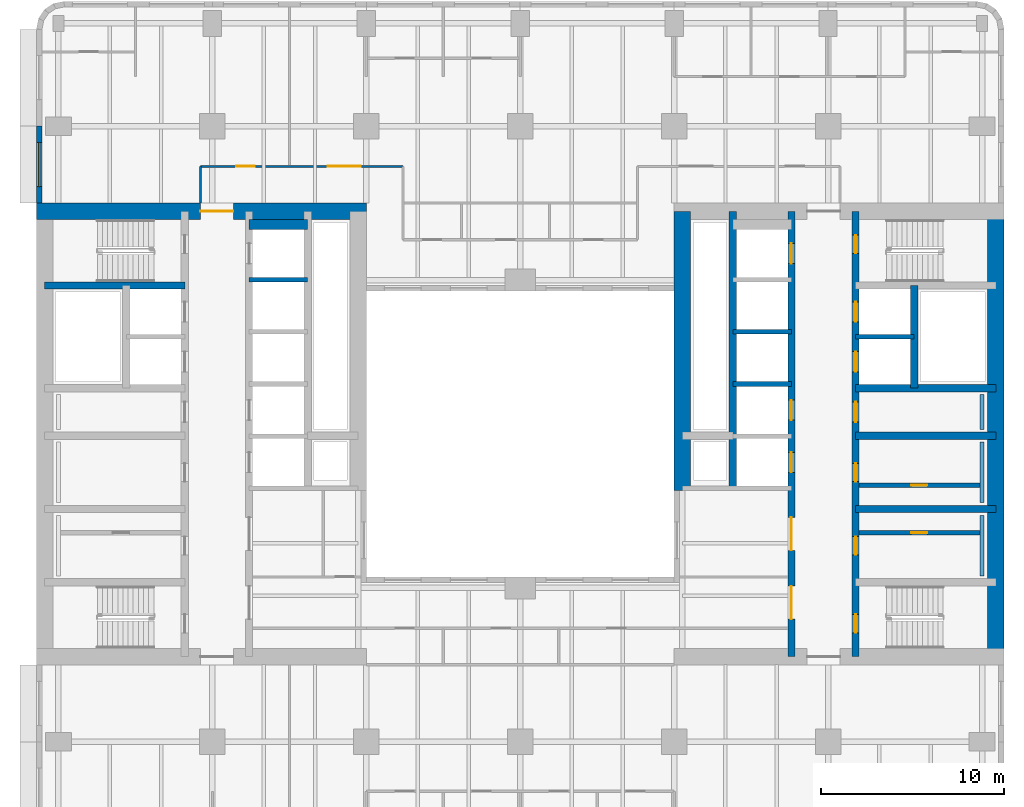
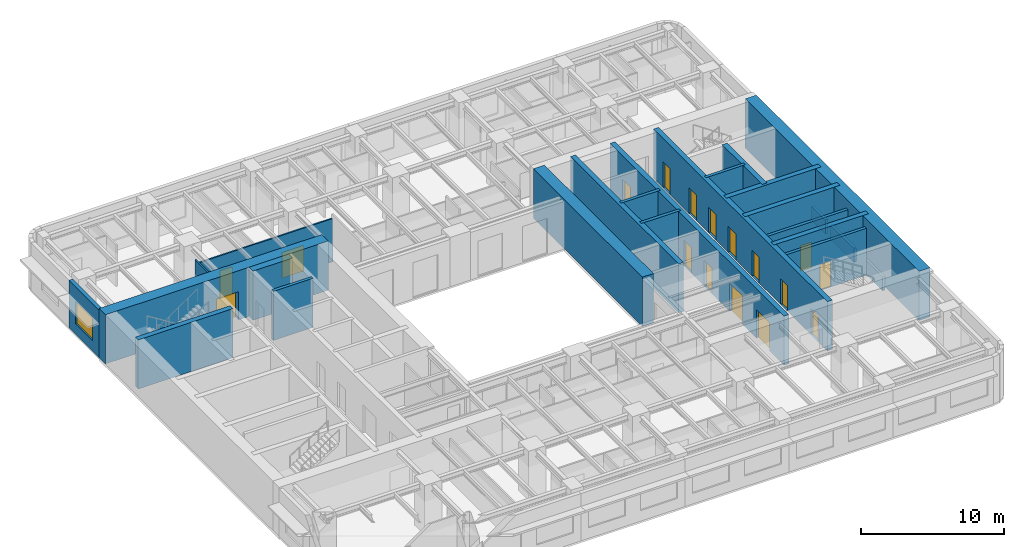
# One storey, part 6 of 11: 24 walls, 17 doors, 1 window, 18 openings.
"""IFC4 building model written with IfcOpenShell, lengths in metres."""

from ifc_helpers import new_model, si_unit, direction, frame, frame_2d, origin, place, context, subcontext, project, spatial, rectangle, extrude, material, layer, layer_set, type_object, element, fill, save


model = new_model("IFC4")

# Units and contexts
model_context = context("Model", 3, precision=1e-05, world=origin(), true_north=direction((0.0, 1.0)))
body_context = subcontext(model_context, "Body", "Model", "MODEL_VIEW")
ifc_project = project(units=[si_unit("LENGTHUNIT", "METRE"), si_unit("AREAUNIT", "SQUARE_METRE"), si_unit("VOLUMEUNIT", "CUBIC_METRE"), si_unit("PLANEANGLEUNIT", "RADIAN"), si_unit("MASSUNIT", "GRAM", prefix="KILO")], contexts=[model_context])

# Site, building, storey
site_placement = place(None, origin())
site = spatial("IfcSite", under=ifc_project, at=site_placement, CompositionType="ELEMENT")
building_placement = place(site_placement, origin())
building = spatial("IfcBuilding", under=site, at=building_placement, Name="Claustro Exchange Tower", CompositionType="ELEMENT")
storey_placement = place(building_placement, frame((0.0, 0.0, 159.60009765625)))
storey = spatial("IfcBuildingStorey", under=building, at=storey_placement, Name="L36", CompositionType="ELEMENT", Elevation=159.60009765625)

# Wall, openings, doors
ifc_material_1 = material(Name="Laminated glass in aluminium frame", Category="aluminium")
ifc_layer_1 = layer(ifc_material_1, 0.1201171875)
ifc_layer_set_1 = layer_set([ifc_layer_1], Name="Laminated glass in aluminium frame")
wall_type_1 = type_object("IfcWallType", Name="P2 120 glazed partition", PredefinedType="PARTITIONING", material=ifc_layer_set_1)
wall_1_placement = place(storey_placement, frame((7.75, 39.800048828125, 0.0), z_axis=(0.0, 0.0, 1.0), x_axis=(1.0, 0.0, 0.0)))
wall_1 = element("IfcWall", 1, at=wall_1_placement, inside=storey, type_object=wall_type_1, Name="Partition P2 L36", PredefinedType="PARTITIONING", context=body_context, shape_type="SweptSolid", body=[
    extrude(rectangle(XDim=11.050048828125, YDim=0.1201171875, at=frame_2d((5.52490234375, 0.0))), origin(), (0.0, 0.0, 1.0), 3.68994140625),
])
opening_1_placement = place(wall_1_placement, frame((1.949951171875, 0.0, 0.0)))
opening_1 = element("IfcOpeningElement", 2, at=opening_1_placement, cuts=wall_1, Name="Opening D7", PredefinedType="OPENING", context=body_context, shape_type="SweptSolid", body=[
    extrude(rectangle(XDim=1.0, YDim=2.39990234375, at=frame_2d((0.5, 1.199951171875))), frame((0.0, 0.070068359375, 0.0), z_axis=(0.0, -1.0, 0.0), x_axis=(1.0, 0.0, 0.0)), (0.0, 0.0, 1.0), 0.14013671875),
])
opening_2_placement = place(wall_1_placement, frame((6.949951171875, 0.0, 0.0)))
opening_2 = element("IfcOpeningElement", 3, at=opening_2_placement, cuts=wall_1, Name="Opening D2", PredefinedType="OPENING", context=body_context, shape_type="SweptSolid", body=[
    extrude(rectangle(XDim=1.800048828125, YDim=2.199951171875, at=frame_2d((0.89990234375, 1.10009765625))), frame((0.0, 0.070068359375, 0.0), z_axis=(0.0, -1.0, 0.0), x_axis=(1.0, 0.0, 0.0)), (0.0, 0.0, 1.0), 0.14013671875),
])
ifc_material_2 = material(Name="Timber door, oak veneer", Category="wood")
door_type_1 = type_object("IfcDoorType", Name="D2 1800 x 2200 double door", OperationType="DOUBLE_DOOR_SINGLE_SWING", PredefinedType="DOOR", material=ifc_material_2)
door_1_placement = place(opening_2_placement, origin())
door_1 = element("IfcDoor", 4, at=door_1_placement, inside=storey, type_object=door_type_1, Name="Double door D2 L36", OperationType="DOUBLE_DOOR_SINGLE_SWING", OverallHeight=2.199951171875, OverallWidth=1.800048828125, PredefinedType="DOOR", context=body_context, shape_type="SweptSolid", body=[
    extrude(rectangle(XDim=1.800048828125, YDim=2.199951171875, at=frame_2d((0.89990234375, 1.10009765625))), frame((0.0, 0.02490234375, 0.0), z_axis=(0.0, -1.0, 0.0), x_axis=(1.0, 0.0, 0.0)), (0.0, 0.0, 1.0), 0.050048828125),
])
fill(opening_2, door_1)
ifc_material_3 = material(Name="Glass door in aluminium frame", Category="aluminium")
door_type_2 = type_object("IfcDoorType", Name="D7 1000 x 2400 glazed door", OperationType="SINGLE_SWING_LEFT", PredefinedType="DOOR", material=ifc_material_3)
door_2_placement = place(opening_1_placement, origin())
door_2 = element("IfcDoor", 5, at=door_2_placement, inside=storey, type_object=door_type_2, Name="Door D7 L36", OperationType="SINGLE_SWING_RIGHT", OverallHeight=2.39990234375, OverallWidth=1.0, PredefinedType="DOOR", context=body_context, shape_type="SweptSolid", body=[
    extrude(rectangle(XDim=1.0, YDim=2.39990234375, at=frame_2d((0.5, 1.199951171875))), frame((0.0, 0.02490234375, 0.0), z_axis=(0.0, -1.0, 0.0), x_axis=(1.0, 0.0, 0.0)), (0.0, 0.0, 1.0), 0.050048828125),
])
fill(opening_1, door_2)

# Wall
wall_2_placement = place(storey_placement, frame((7.75, 37.800048828125, 0.0), z_axis=(0.0, 0.0, 1.0), x_axis=(0.0, 1.0, 0.0)))
element("IfcWall", 6, at=wall_2_placement, inside=storey, type_object=wall_type_1, Name="Partition P2 L36", PredefinedType="PARTITIONING", context=body_context, shape_type="SweptSolid", body=[
    extrude(rectangle(XDim=2.0, YDim=0.1201171875, at=frame_2d((1.0, 0.0))), origin(), (0.0, 0.0, 1.0), 4.0498046875),
])

# Wall, opening, door
ifc_material_4 = material(Name="Concrete blockwork, rendered", Category="masonry")
ifc_layer_2 = layer(ifc_material_4, 0.25)
ifc_layer_set_2 = layer_set([ifc_layer_2], Name="Concrete blockwork, rendered")
wall_type_2 = type_object("IfcWallType", Name="P4 250 blockwork wall", PredefinedType="PARTITIONING", material=ifc_layer_set_2)
wall_3_placement = place(storey_placement, frame((43.699951171875, 22.39990234375, 0.0), z_axis=(0.0, 0.0, 1.0), x_axis=(1.0, 0.0, 0.0)))
wall_3 = element("IfcWall", 7, at=wall_3_placement, inside=storey, type_object=wall_type_2, Name="Partition P4 L36", PredefinedType="PARTITIONING", context=body_context, shape_type="SweptSolid", body=[
    extrude(rectangle(XDim=6.60009765625, YDim=0.25, at=frame_2d((3.300048828125, 0.0))), origin(), (0.0, 0.0, 1.0), 4.0),
])
opening_3_placement = place(wall_3_placement, frame((2.824951171875, 0.0, 0.0)))
opening_3 = element("IfcOpeningElement", 8, at=opening_3_placement, cuts=wall_3, Name="Opening D5", PredefinedType="OPENING", context=body_context, shape_type="SweptSolid", body=[
    extrude(rectangle(XDim=0.89990234375, YDim=2.199951171875, at=frame_2d((0.449951171875, 1.10009765625))), frame((0.0, 0.135009765625, 0.0), z_axis=(0.0, -1.0, 0.0), x_axis=(1.0, 0.0, 0.0)), (0.0, 0.0, 1.0), 0.27001953125),
])
ifc_material_5 = material(Name="Steel door, painted", Category="steel")
door_type_3 = type_object("IfcDoorType", Name="D5 900 x 2200 store door", OperationType="SINGLE_SWING_LEFT", PredefinedType="DOOR", material=ifc_material_5)
door_3_placement = place(opening_3_placement, frame((0.89990234375, 0.0, 0.0), z_axis=(0.0, 0.0, 1.0), x_axis=(-1.0, 0.0, 0.0)))
door_3 = element("IfcDoor", 9, at=door_3_placement, inside=storey, type_object=door_type_3, Name="Store door D5 L36", OperationType="SINGLE_SWING_LEFT", OverallHeight=2.199951171875, OverallWidth=0.89990234375, PredefinedType="DOOR", context=body_context, shape_type="SweptSolid", body=[
    extrude(rectangle(XDim=0.89990234375, YDim=2.199951171875, at=frame_2d((0.449951171875, 1.10009765625))), frame((0.0, 0.02490234375, 0.0), z_axis=(0.0, -1.0, 0.0), x_axis=(1.0, 0.0, 0.0)), (0.0, 0.0, 1.0), 0.050048828125),
])
fill(opening_3, door_3)

wall_4_placement = place(storey_placement, frame((43.699951171875, 19.800048828125, 0.0), z_axis=(0.0, 0.0, 1.0), x_axis=(1.0, 0.0, 0.0)))
wall_4 = element("IfcWall", 10, at=wall_4_placement, inside=storey, type_object=wall_type_2, Name="Partition P4 L36", PredefinedType="PARTITIONING", context=body_context, shape_type="SweptSolid", body=[
    extrude(rectangle(XDim=6.60009765625, YDim=0.25, at=frame_2d((3.300048828125, 0.0))), origin(), (0.0, 0.0, 1.0), 4.0),
])
opening_4_placement = place(wall_4_placement, frame((2.824951171875, 0.0, 0.0)))
opening_4 = element("IfcOpeningElement", 11, at=opening_4_placement, cuts=wall_4, Name="Opening D5", PredefinedType="OPENING", context=body_context, shape_type="SweptSolid", body=[
    extrude(rectangle(XDim=0.89990234375, YDim=2.199951171875, at=frame_2d((0.449951171875, 1.10009765625))), frame((0.0, 0.135009765625, 0.0), z_axis=(0.0, -1.0, 0.0), x_axis=(1.0, 0.0, 0.0)), (0.0, 0.0, 1.0), 0.27001953125),
])
door_4_placement = place(opening_4_placement, origin())
door_4 = element("IfcDoor", 12, at=door_4_placement, inside=storey, type_object=door_type_3, Name="Store door D5 L36", OperationType="SINGLE_SWING_RIGHT", OverallHeight=2.199951171875, OverallWidth=0.89990234375, PredefinedType="DOOR", context=body_context, shape_type="SweptSolid", body=[
    extrude(rectangle(XDim=0.89990234375, YDim=2.199951171875, at=frame_2d((0.449951171875, 1.10009765625))), frame((0.0, 0.02490234375, 0.0), z_axis=(0.0, -1.0, 0.0), x_axis=(1.0, 0.0, 0.0)), (0.0, 0.0, 1.0), 0.050048828125),
])
fill(opening_4, door_4)

# Wall, opening, window
ifc_material_6 = material(Name="Concrete HA-40 (C40/50), precast, white cement, acid-etched", Category="concrete")
ifc_layer_3 = layer(ifc_material_6, 0.300048828125)
ifc_layer_set_3 = layer_set([ifc_layer_3], Name="Concrete HA-40 (C40/50), precast, white cement, acid-etched")
wall_type_3 = type_object("IfcWallType", Name="PC1 300 precast concrete pier panel", PredefinedType="SOLIDWALL", material=ifc_layer_set_3)
wall_5_placement = place(storey_placement, frame((-1.050048828125, 37.800048828125, 0.0), z_axis=(0.0, 0.0, 1.0), x_axis=(0.0, 1.0, 0.0)))
wall_5 = element("IfcWall", 13, at=wall_5_placement, inside=storey, type_object=wall_type_3, Name="Precast pier panel PC1 L36", PredefinedType="SOLIDWALL", context=body_context, shape_type="SweptSolid", body=[
    extrude(rectangle(XDim=4.199951171875, YDim=0.300048828125, at=frame_2d((2.10009765625, 0.0))), origin(), (0.0, 0.0, 1.0), 4.0498046875),
])
opening_5_placement = place(wall_5_placement, frame((0.89990234375, 0.0, 0.89990234375)))
opening_5 = element("IfcOpeningElement", 14, at=opening_5_placement, cuts=wall_5, Name="Opening W2", PredefinedType="OPENING", context=body_context, shape_type="SweptSolid", body=[
    extrude(rectangle(XDim=2.39990234375, YDim=1.89990234375, at=frame_2d((1.199951171875, 0.949951171875))), frame((0.0, 0.159912109375, 0.0), z_axis=(0.0, -1.0, 0.0), x_axis=(1.0, 0.0, 0.0)), (0.0, 0.0, 1.0), 0.320068359375),
])
ifc_material_7 = material(Name="Aluminium frame, clear double glazing", Category="aluminium")
window_type = type_object("IfcWindowType", Name="W2 2400 x 1900 window", PartitioningType="SINGLE_PANEL", PredefinedType="WINDOW", material=ifc_material_7)
window_placement = place(opening_5_placement, origin())
window = element("IfcWindow", 15, at=window_placement, inside=storey, type_object=window_type, Name="Window W2 L36", OverallHeight=1.89990234375, OverallWidth=2.39990234375, PartitioningType="SINGLE_PANEL", PredefinedType="WINDOW", context=body_context, shape_type="SweptSolid", body=[
    extrude(rectangle(XDim=2.39990234375, YDim=1.89990234375, at=frame_2d((1.199951171875, 0.949951171875))), frame((0.0, 0.030029296875, 0.0), z_axis=(0.0, -1.0, 0.0), x_axis=(1.0, 0.0, 0.0)), (0.0, 0.0, 1.0), 0.06005859375),
])
fill(opening_5, window)

# Walls
ifc_material_8 = material(Name="Gypsum board on steel studs, tiled", Category="steel")
ifc_layer_4 = layer(ifc_material_8, 0.199951171875)
ifc_layer_set_4 = layer_set([ifc_layer_4], Name="Gypsum board on steel studs, tiled")
wall_type_4 = type_object("IfcWallType", Name="PW1 200 WC duct wall", PredefinedType="PLUMBINGWALL", material=ifc_layer_set_4)
for number, where, z_axis, x_axis, name in (
    (16, (50.39990234375, 17.449951171875, 0.0), (0.0, 0.0, 1.0), (0.0, 1.0, 0.0), "WC duct wall PW1 L36"),
    (17, (50.39990234375, 21.449951171875, 0.0), (0.0, 0.0, 1.0), (0.0, 1.0, 0.0), "WC duct wall PW1 L36"),
):
    element("IfcWall", number, at=place(storey_placement, frame(where, z_axis=z_axis, x_axis=x_axis)), inside=storey, type_object=wall_type_4, Name=name, PredefinedType="PLUMBINGWALL", context=body_context, shape_type="SweptSolid", body=[
        extrude(rectangle(XDim=3.300048828125, YDim=0.199951171875, at=frame_2d((1.64990234375, 0.0))), origin(), (0.0, 0.0, 1.0), 1.199951171875),
    ])
wall_6_placement = place(storey_placement, frame((50.39990234375, 25.449951171875, 0.0), z_axis=(0.0, 0.0, 1.0), x_axis=(0.0, 1.0, 0.0)))
element("IfcWall", 18, at=wall_6_placement, inside=storey, type_object=wall_type_4, Name="WC duct wall PW1 L36", PredefinedType="PLUMBINGWALL", context=body_context, shape_type="SweptSolid", body=[
    extrude(rectangle(XDim=1.900146484375, YDim=0.199951171875, at=frame_2d((0.9501953125, 0.0))), origin(), (0.0, 0.0, 1.0), 1.199951171875),
])

# Wall, opening, door
ifc_material_9 = material(Name="Concrete HA-70 (C70/85)", Category="concrete")
ifc_layer_5 = layer(ifc_material_9, 0.89990234375)
ifc_layer_set_5 = layer_set([ifc_layer_5], Name="Concrete HA-70 (C70/85)")
wall_type_5 = type_object("IfcWallType", Name="SW1 900 core shear wall", PredefinedType="SHEAR", material=ifc_layer_set_5)
wall_7_placement = place(storey_placement, frame((-1.199951171875, 37.35009765625, 0.0), z_axis=(0.0, 0.0, 1.0), x_axis=(1.0, 0.0, 0.0)))
wall_7 = element("IfcWall", 19, at=wall_7_placement, inside=storey, type_object=wall_type_5, Name="Core wall SW1 W core N face L36", PredefinedType="SHEAR", context=body_context, shape_type="SweptSolid", body=[
    extrude(rectangle(XDim=18.0, YDim=0.89990234375, at=frame_2d((9.0, 0.0))), origin(), (0.0, 0.0, 1.0), 4.199951171875),
])
opening_6_placement = place(wall_7_placement, frame((8.949951171875, 0.0, 0.0)))
opening_6 = element("IfcOpeningElement", 20, at=opening_6_placement, cuts=wall_7, Name="Opening D3", PredefinedType="OPENING", context=body_context, shape_type="SweptSolid", body=[
    extrude(rectangle(XDim=1.800048828125, YDim=2.39990234375, at=frame_2d((0.89990234375, 1.199951171875))), frame((0.0, 0.4599609375, 0.0), z_axis=(0.0, -1.0, 0.0), x_axis=(1.0, 0.0, 0.0)), (0.0, 0.0, 1.0), 0.919921875),
])
ifc_material_10 = material(Name="Steel fire door, painted", Category="steel")
door_type_4 = type_object("IfcDoorType", Name="D3 1800 x 2400 fire-rated lobby double door", OperationType="DOUBLE_DOOR_SINGLE_SWING", PredefinedType="DOOR", material=ifc_material_10)
door_5_placement = place(opening_6_placement, frame((1.800048828125, 0.0, 0.0), z_axis=(0.0, 0.0, 1.0), x_axis=(-1.0, 0.0, 0.0)))
door_5 = element("IfcDoor", 21, at=door_5_placement, inside=storey, type_object=door_type_4, Name="Lift lobby door D3 L36", OperationType="DOUBLE_DOOR_SINGLE_SWING", OverallHeight=2.39990234375, OverallWidth=1.800048828125, PredefinedType="DOOR", context=body_context, shape_type="SweptSolid", body=[
    extrude(rectangle(XDim=1.800048828125, YDim=2.39990234375, at=frame_2d((0.89990234375, 1.199951171875))), frame((0.0, 0.02490234375, 0.0), z_axis=(0.0, -1.0, 0.0), x_axis=(1.0, 0.0, 0.0)), (0.0, 0.0, 1.0), 0.050048828125),
])
fill(opening_6, door_5)

# Walls
ifc_material_11 = material(Name="Concrete HA-70 (C70/85)", Category="concrete")
ifc_layer_6 = layer(ifc_material_11, 0.89990234375)
ifc_layer_set_6 = layer_set([ifc_layer_6], Name="Concrete HA-70 (C70/85)")
wall_type_6 = type_object("IfcWallType", Name="SW1X 900 exposed core shear wall, board-marked face", PredefinedType="SHEAR", material=ifc_layer_set_6)
wall_8_placement = place(storey_placement, frame((34.050048828125, 22.10009765625, 0.0), z_axis=(0.0, 0.0, 1.0), x_axis=(0.0, 1.0, 0.0)))
element("IfcWall", 22, at=wall_8_placement, inside=storey, type_object=wall_type_6, Name="Core wall SW1X E core W face L36", PredefinedType="SHEAR", context=body_context, shape_type="SweptSolid", body=[
    extrude(rectangle(XDim=15.25, YDim=0.89990234375, at=frame_2d((7.625, 0.0))), origin(), (0.0, 0.0, 1.0), 4.199951171875),
])
wall_9_placement = place(storey_placement, frame((51.14990234375, 13.050048828125, 0.0), z_axis=(0.0, 0.0, 1.0), x_axis=(0.0, 1.0, 0.0)))
element("IfcWall", 23, at=wall_9_placement, inside=storey, type_object=wall_type_6, Name="Core wall SW1X E core E face L36", PredefinedType="SHEAR", context=body_context, shape_type="SweptSolid", body=[
    extrude(rectangle(XDim=24.300048828125, YDim=0.89990234375, at=frame_2d((12.14990234375, 0.0))), origin(), (0.0, 0.0, 1.0), 4.199951171875),
])
ifc_material_12 = material(Name="Concrete HA-50 (C50/60)", Category="concrete")
ifc_layer_7 = layer(ifc_material_12, 0.39990234375)
ifc_layer_set_7 = layer_set([ifc_layer_7], Name="Concrete HA-50 (C50/60)")
wall_type_7 = type_object("IfcWallType", Name="SW4 400 internal core wall", PredefinedType="SHEAR", material=ifc_layer_set_7)
wall_10_placement = place(storey_placement, frame((-0.75, 33.300048828125, 0.0), z_axis=(0.0, 0.0, 1.0), x_axis=(1.0, 0.0, 0.0)))
element("IfcWall", 24, at=wall_10_placement, inside=storey, type_object=wall_type_7, Name="Internal core wall SW4 W core L36", PredefinedType="SHEAR", context=body_context, shape_type="SweptSolid", body=[
    extrude(rectangle(XDim=7.64990234375, YDim=0.39990234375, at=frame_2d((3.824951171875, 0.0))), origin(), (0.0, 0.0, 1.0), 4.199951171875),
])

# Wall, openings, doors
wall_11_placement = place(storey_placement, frame((43.5, 13.050048828125, 0.0), z_axis=(0.0, 0.0, 1.0), x_axis=(0.0, 1.0, 0.0)))
wall_11 = element("IfcWall", 25, at=wall_11_placement, inside=storey, type_object=wall_type_7, Name="Internal core wall SW4 E core L36", PredefinedType="SHEAR", context=body_context, shape_type="SweptSolid", body=[
    extrude(rectangle(XDim=24.300048828125, YDim=0.39990234375, at=frame_2d((12.14990234375, 0.0))), origin(), (0.0, 0.0, 1.0), 4.199951171875),
])
opening_7_placement = place(wall_11_placement, frame((1.300048828125, 0.0, 0.0)))
opening_7 = element("IfcOpeningElement", 26, at=opening_7_placement, cuts=wall_11, Name="Opening D4", PredefinedType="OPENING", context=body_context, shape_type="SweptSolid", body=[
    extrude(rectangle(XDim=1.0, YDim=2.199951171875, at=frame_2d((0.5, 1.10009765625))), frame((0.0, 0.2099609375, 0.0), z_axis=(0.0, -1.0, 0.0), x_axis=(1.0, 0.0, 0.0)), (0.0, 0.0, 1.0), 0.419921875),
])
opening_8_placement = place(wall_11_placement, frame((22.0, 0.0, 0.0)))
opening_8 = element("IfcOpeningElement", 27, at=opening_8_placement, cuts=wall_11, Name="Opening D4", PredefinedType="OPENING", context=body_context, shape_type="SweptSolid", body=[
    extrude(rectangle(XDim=1.0, YDim=2.199951171875, at=frame_2d((0.5, 1.10009765625))), frame((0.0, 0.2099609375, 0.0), z_axis=(0.0, -1.0, 0.0), x_axis=(1.0, 0.0, 0.0)), (0.0, 0.0, 1.0), 0.419921875),
])
opening_9_placement = place(wall_11_placement, frame((5.550048828125, 0.0, 0.0)))
opening_9 = element("IfcOpeningElement", 28, at=opening_9_placement, cuts=wall_11, Name="Opening D1", PredefinedType="OPENING", context=body_context, shape_type="SweptSolid", body=[
    extrude(rectangle(XDim=1.0, YDim=2.199951171875, at=frame_2d((0.5, 1.10009765625))), frame((0.0, 0.2099609375, 0.0), z_axis=(0.0, -1.0, 0.0), x_axis=(1.0, 0.0, 0.0)), (0.0, 0.0, 1.0), 0.419921875),
])
opening_10_placement = place(wall_11_placement, frame((9.550048828125, 0.0, 0.0)))
opening_10 = element("IfcOpeningElement", 29, at=opening_10_placement, cuts=wall_11, Name="Opening D1", PredefinedType="OPENING", context=body_context, shape_type="SweptSolid", body=[
    extrude(rectangle(XDim=1.0, YDim=2.199951171875, at=frame_2d((0.5, 1.10009765625))), frame((0.0, 0.2099609375, 0.0), z_axis=(0.0, -1.0, 0.0), x_axis=(1.0, 0.0, 0.0)), (0.0, 0.0, 1.0), 0.419921875),
])
opening_11_placement = place(wall_11_placement, frame((12.800048828125, 0.0, 0.0)))
opening_11 = element("IfcOpeningElement", 30, at=opening_11_placement, cuts=wall_11, Name="Opening D10", PredefinedType="OPENING", context=body_context, shape_type="SweptSolid", body=[
    extrude(rectangle(XDim=1.10009765625, YDim=2.199951171875, at=frame_2d((0.550048828125, 1.10009765625))), frame((0.0, 0.2099609375, 0.0), z_axis=(0.0, -1.0, 0.0), x_axis=(1.0, 0.0, 0.0)), (0.0, 0.0, 1.0), 0.419921875),
])
opening_12_placement = place(wall_11_placement, frame((15.53759765625, 0.0, 0.0)))
opening_12 = element("IfcOpeningElement", 31, at=opening_12_placement, cuts=wall_11, Name="Opening LD", PredefinedType="OPENING", context=body_context, shape_type="SweptSolid", body=[
    extrude(rectangle(XDim=1.10009765625, YDim=2.199951171875, at=frame_2d((0.550048828125, 1.10009765625))), frame((0.0, 0.2099609375, 0.0), z_axis=(0.0, -1.0, 0.0), x_axis=(1.0, 0.0, 0.0)), (0.0, 0.0, 1.0), 0.419921875),
])
opening_13_placement = place(wall_11_placement, frame((18.262451171875, 0.0, 0.0)))
opening_13 = element("IfcOpeningElement", 32, at=opening_13_placement, cuts=wall_11, Name="Opening LD", PredefinedType="OPENING", context=body_context, shape_type="SweptSolid", body=[
    extrude(rectangle(XDim=1.10009765625, YDim=2.199951171875, at=frame_2d((0.550048828125, 1.10009765625))), frame((0.0, 0.2099609375, 0.0), z_axis=(0.0, -1.0, 0.0), x_axis=(1.0, 0.0, 0.0)), (0.0, 0.0, 1.0), 0.419921875),
])
ifc_material_13 = material(Name="Timber door, oak veneer", Category="wood")
door_type_5 = type_object("IfcDoorType", Name="D1 1000 x 2200 single door", OperationType="SINGLE_SWING_LEFT", PredefinedType="DOOR", material=ifc_material_13)
door_6_placement = place(opening_9_placement, frame((1.0, 0.0, 0.0), z_axis=(0.0, 0.0, 1.0), x_axis=(-1.0, 0.0, 0.0)))
door_6 = element("IfcDoor", 33, at=door_6_placement, inside=storey, type_object=door_type_5, Name="Door D1 L36", OperationType="SINGLE_SWING_LEFT", OverallHeight=2.199951171875, OverallWidth=1.0, PredefinedType="DOOR", context=body_context, shape_type="SweptSolid", body=[
    extrude(rectangle(XDim=1.0, YDim=2.199951171875, at=frame_2d((0.5, 1.10009765625))), frame((0.0, 0.02490234375, 0.0), z_axis=(0.0, -1.0, 0.0), x_axis=(1.0, 0.0, 0.0)), (0.0, 0.0, 1.0), 0.050048828125),
])
fill(opening_9, door_6)
door_7_placement = place(opening_10_placement, frame((1.0, 0.0, 0.0), z_axis=(0.0, 0.0, 1.0), x_axis=(-1.0, 0.0, 0.0)))
door_7 = element("IfcDoor", 34, at=door_7_placement, inside=storey, type_object=door_type_5, Name="Door D1 L36", OperationType="SINGLE_SWING_RIGHT", OverallHeight=2.199951171875, OverallWidth=1.0, PredefinedType="DOOR", context=body_context, shape_type="SweptSolid", body=[
    extrude(rectangle(XDim=1.0, YDim=2.199951171875, at=frame_2d((0.5, 1.10009765625))), frame((0.0, 0.02490234375, 0.0), z_axis=(0.0, -1.0, 0.0), x_axis=(1.0, 0.0, 0.0)), (0.0, 0.0, 1.0), 0.050048828125),
])
fill(opening_10, door_7)
ifc_material_14 = material(Name="Timber door, oak veneer", Category="wood")
door_type_6 = type_object("IfcDoorType", Name="D10 1100 x 2200 accessible WC door", OperationType="SINGLE_SWING_LEFT", PredefinedType="DOOR", material=ifc_material_14)
door_8_placement = place(opening_11_placement, origin())
door_8 = element("IfcDoor", 35, at=door_8_placement, inside=storey, type_object=door_type_6, Name="Accessible WC door D10 L36", OperationType="SINGLE_SWING_RIGHT", OverallHeight=2.199951171875, OverallWidth=1.10009765625, PredefinedType="DOOR", context=body_context, shape_type="SweptSolid", body=[
    extrude(rectangle(XDim=1.10009765625, YDim=2.199951171875, at=frame_2d((0.550048828125, 1.10009765625))), frame((0.0, 0.02490234375, 0.0), z_axis=(0.0, -1.0, 0.0), x_axis=(1.0, 0.0, 0.0)), (0.0, 0.0, 1.0), 0.050048828125),
])
fill(opening_11, door_8)
ifc_material_15 = material(Name="Steel fire door, painted", Category="steel")
door_type_7 = type_object("IfcDoorType", Name="D4 1000 x 2200 fire-rated stair door", OperationType="SINGLE_SWING_LEFT", PredefinedType="DOOR", material=ifc_material_15)
door_9_placement = place(opening_7_placement, frame((1.0, 0.0, 0.0), z_axis=(0.0, 0.0, 1.0), x_axis=(-1.0, 0.0, 0.0)))
door_9 = element("IfcDoor", 36, at=door_9_placement, inside=storey, type_object=door_type_7, Name="Stair door D4 L36", OperationType="SINGLE_SWING_RIGHT", OverallHeight=2.199951171875, OverallWidth=1.0, PredefinedType="DOOR", context=body_context, shape_type="SweptSolid", body=[
    extrude(rectangle(XDim=1.0, YDim=2.199951171875, at=frame_2d((0.5, 1.10009765625))), frame((0.0, 0.02490234375, 0.0), z_axis=(0.0, -1.0, 0.0), x_axis=(1.0, 0.0, 0.0)), (0.0, 0.0, 1.0), 0.050048828125),
])
fill(opening_7, door_9)
door_10_placement = place(opening_8_placement, frame((1.0, 0.0, 0.0), z_axis=(0.0, 0.0, 1.0), x_axis=(-1.0, 0.0, 0.0)))
door_10 = element("IfcDoor", 37, at=door_10_placement, inside=storey, type_object=door_type_7, Name="Stair door D4 L36", OperationType="SINGLE_SWING_LEFT", OverallHeight=2.199951171875, OverallWidth=1.0, PredefinedType="DOOR", context=body_context, shape_type="SweptSolid", body=[
    extrude(rectangle(XDim=1.0, YDim=2.199951171875, at=frame_2d((0.5, 1.10009765625))), frame((0.0, 0.02490234375, 0.0), z_axis=(0.0, -1.0, 0.0), x_axis=(1.0, 0.0, 0.0)), (0.0, 0.0, 1.0), 0.050048828125),
])
fill(opening_8, door_10)
ifc_material_16 = material(Name="Stainless steel sliding door", Category="steel")
door_type_8 = type_object("IfcDoorType", Name="LD 1100 x 2200 lift landing door", OperationType="DOUBLE_DOOR_SLIDING", PredefinedType="DOOR", material=ifc_material_16)
door_11_placement = place(opening_12_placement, origin())
door_11 = element("IfcDoor", 38, at=door_11_placement, inside=storey, type_object=door_type_8, Name="Lift landing door LEE1 LD L36", OperationType="DOUBLE_DOOR_SLIDING", OverallHeight=2.199951171875, OverallWidth=1.10009765625, PredefinedType="DOOR", context=body_context, shape_type="SweptSolid", body=[
    extrude(rectangle(XDim=1.10009765625, YDim=2.199951171875, at=frame_2d((0.550048828125, 1.10009765625))), frame((0.0, 0.02490234375, 0.0), z_axis=(0.0, -1.0, 0.0), x_axis=(1.0, 0.0, 0.0)), (0.0, 0.0, 1.0), 0.050048828125),
])
fill(opening_12, door_11)
door_12_placement = place(opening_13_placement, origin())
door_12 = element("IfcDoor", 39, at=door_12_placement, inside=storey, type_object=door_type_8, Name="Lift landing door LEE2 LD L36", OperationType="DOUBLE_DOOR_SLIDING", OverallHeight=2.199951171875, OverallWidth=1.10009765625, PredefinedType="DOOR", context=body_context, shape_type="SweptSolid", body=[
    extrude(rectangle(XDim=1.10009765625, YDim=2.199951171875, at=frame_2d((0.550048828125, 1.10009765625))), frame((0.0, 0.02490234375, 0.0), z_axis=(0.0, -1.0, 0.0), x_axis=(1.0, 0.0, 0.0)), (0.0, 0.0, 1.0), 0.050048828125),
])
fill(opening_13, door_12)

wall_12_placement = place(storey_placement, frame((40.0, 13.050048828125, 0.0), z_axis=(0.0, 0.0, 1.0), x_axis=(0.0, 1.0, 0.0)))
wall_12 = element("IfcWall", 40, at=wall_12_placement, inside=storey, type_object=wall_type_7, Name="Internal core wall SW4 E core L36", PredefinedType="SHEAR", context=body_context, shape_type="SweptSolid", body=[
    extrude(rectangle(XDim=24.300048828125, YDim=0.39990234375, at=frame_2d((12.14990234375, 0.0))), origin(), (0.0, 0.0, 1.0), 4.199951171875),
])
opening_14_placement = place(wall_12_placement, frame((10.050048828125, 0.0, 0.0)))
opening_14 = element("IfcOpeningElement", 41, at=opening_14_placement, cuts=wall_12, Name="Opening LD", PredefinedType="OPENING", context=body_context, shape_type="SweptSolid", body=[
    extrude(rectangle(XDim=1.10009765625, YDim=2.199951171875, at=frame_2d((0.550048828125, 1.10009765625))), frame((0.0, 0.2099609375, 0.0), z_axis=(0.0, -1.0, 0.0), x_axis=(1.0, 0.0, 0.0)), (0.0, 0.0, 1.0), 0.419921875),
])
opening_15_placement = place(wall_12_placement, frame((12.89990234375, 0.0, 0.0)))
opening_15 = element("IfcOpeningElement", 42, at=opening_15_placement, cuts=wall_12, Name="Opening LD", PredefinedType="OPENING", context=body_context, shape_type="SweptSolid", body=[
    extrude(rectangle(XDim=1.10009765625, YDim=2.199951171875, at=frame_2d((0.550048828125, 1.10009765625))), frame((0.0, 0.2099609375, 0.0), z_axis=(0.0, -1.0, 0.0), x_axis=(1.0, 0.0, 0.0)), (0.0, 0.0, 1.0), 0.419921875),
])
opening_16_placement = place(wall_12_placement, frame((21.449951171875, 0.0, 0.0)))
opening_16 = element("IfcOpeningElement", 43, at=opening_16_placement, cuts=wall_12, Name="Opening LD", PredefinedType="OPENING", context=body_context, shape_type="SweptSolid", body=[
    extrude(rectangle(XDim=1.10009765625, YDim=2.199951171875, at=frame_2d((0.550048828125, 1.10009765625))), frame((0.0, 0.2099609375, 0.0), z_axis=(0.0, -1.0, 0.0), x_axis=(1.0, 0.0, 0.0)), (0.0, 0.0, 1.0), 0.419921875),
])
opening_17_placement = place(wall_12_placement, frame((2.050048828125, 0.0, 0.0)))
opening_17 = element("IfcOpeningElement", 44, at=opening_17_placement, cuts=wall_12, Name="Opening D3", PredefinedType="OPENING", context=body_context, shape_type="SweptSolid", body=[
    extrude(rectangle(XDim=1.800048828125, YDim=2.39990234375, at=frame_2d((0.89990234375, 1.199951171875))), frame((0.0, 0.2099609375, 0.0), z_axis=(0.0, -1.0, 0.0), x_axis=(1.0, 0.0, 0.0)), (0.0, 0.0, 1.0), 0.419921875),
])
opening_18_placement = place(wall_12_placement, frame((5.800048828125, 0.0, 0.0)))
opening_18 = element("IfcOpeningElement", 45, at=opening_18_placement, cuts=wall_12, Name="Opening D3", PredefinedType="OPENING", context=body_context, shape_type="SweptSolid", body=[
    extrude(rectangle(XDim=1.800048828125, YDim=2.39990234375, at=frame_2d((0.89990234375, 1.199951171875))), frame((0.0, 0.2099609375, 0.0), z_axis=(0.0, -1.0, 0.0), x_axis=(1.0, 0.0, 0.0)), (0.0, 0.0, 1.0), 0.419921875),
])
door_13_placement = place(opening_17_placement, frame((1.800048828125, 0.0, 0.0), z_axis=(0.0, 0.0, 1.0), x_axis=(-1.0, 0.0, 0.0)))
door_13 = element("IfcDoor", 46, at=door_13_placement, inside=storey, type_object=door_type_4, Name="Core zone door D3 L36", OperationType="DOUBLE_DOOR_SINGLE_SWING", OverallHeight=2.39990234375, OverallWidth=1.800048828125, PredefinedType="DOOR", context=body_context, shape_type="SweptSolid", body=[
    extrude(rectangle(XDim=1.800048828125, YDim=2.39990234375, at=frame_2d((0.89990234375, 1.199951171875))), frame((0.0, 0.02490234375, 0.0), z_axis=(0.0, -1.0, 0.0), x_axis=(1.0, 0.0, 0.0)), (0.0, 0.0, 1.0), 0.050048828125),
])
fill(opening_17, door_13)
door_14_placement = place(opening_18_placement, origin())
door_14 = element("IfcDoor", 47, at=door_14_placement, inside=storey, type_object=door_type_4, Name="Core zone door D3 L36", OperationType="DOUBLE_DOOR_SINGLE_SWING", OverallHeight=2.39990234375, OverallWidth=1.800048828125, PredefinedType="DOOR", context=body_context, shape_type="SweptSolid", body=[
    extrude(rectangle(XDim=1.800048828125, YDim=2.39990234375, at=frame_2d((0.89990234375, 1.199951171875))), frame((0.0, 0.02490234375, 0.0), z_axis=(0.0, -1.0, 0.0), x_axis=(1.0, 0.0, 0.0)), (0.0, 0.0, 1.0), 0.050048828125),
])
fill(opening_18, door_14)
door_15_placement = place(opening_14_placement, origin())
door_15 = element("IfcDoor", 48, at=door_15_placement, inside=storey, type_object=door_type_8, Name="Lift landing door LME1 LD L36", OperationType="DOUBLE_DOOR_SLIDING", OverallHeight=2.199951171875, OverallWidth=1.10009765625, PredefinedType="DOOR", context=body_context, shape_type="SweptSolid", body=[
    extrude(rectangle(XDim=1.10009765625, YDim=2.199951171875, at=frame_2d((0.550048828125, 1.10009765625))), frame((0.0, 0.02490234375, 0.0), z_axis=(0.0, -1.0, 0.0), x_axis=(1.0, 0.0, 0.0)), (0.0, 0.0, 1.0), 0.050048828125),
])
fill(opening_14, door_15)
door_16_placement = place(opening_15_placement, origin())
door_16 = element("IfcDoor", 49, at=door_16_placement, inside=storey, type_object=door_type_8, Name="Lift landing door LME2 LD L36", OperationType="DOUBLE_DOOR_SLIDING", OverallHeight=2.199951171875, OverallWidth=1.10009765625, PredefinedType="DOOR", context=body_context, shape_type="SweptSolid", body=[
    extrude(rectangle(XDim=1.10009765625, YDim=2.199951171875, at=frame_2d((0.550048828125, 1.10009765625))), frame((0.0, 0.02490234375, 0.0), z_axis=(0.0, -1.0, 0.0), x_axis=(1.0, 0.0, 0.0)), (0.0, 0.0, 1.0), 0.050048828125),
])
fill(opening_15, door_16)
door_17_placement = place(opening_16_placement, origin())
door_17 = element("IfcDoor", 50, at=door_17_placement, inside=storey, type_object=door_type_8, Name="Lift landing door LSE1 LD L36", OperationType="DOUBLE_DOOR_SLIDING", OverallHeight=2.199951171875, OverallWidth=1.10009765625, PredefinedType="DOOR", context=body_context, shape_type="SweptSolid", body=[
    extrude(rectangle(XDim=1.10009765625, YDim=2.199951171875, at=frame_2d((0.550048828125, 1.10009765625))), frame((0.0, 0.02490234375, 0.0), z_axis=(0.0, -1.0, 0.0), x_axis=(1.0, 0.0, 0.0)), (0.0, 0.0, 1.0), 0.050048828125),
])
fill(opening_16, door_17)

# Walls
wall_13_placement = place(storey_placement, frame((36.800048828125, 22.22509765625, 0.0), z_axis=(0.0, 0.0, 1.0), x_axis=(0.0, 1.0, 0.0)))
element("IfcWall", 51, at=wall_13_placement, inside=storey, type_object=wall_type_7, Name="Internal core wall SW4 E core L36", PredefinedType="SHEAR", context=body_context, shape_type="SweptSolid", body=[
    extrude(rectangle(XDim=15.125, YDim=0.39990234375, at=frame_2d((7.5625, 0.0))), origin(), (0.0, 0.0, 1.0), 4.199951171875),
])
for number, where, z_axis, x_axis, name in (
    (52, (51.14990234375, 21.10009765625, 0.0), (0.0, 0.0, 1.0), (-1.0, 0.0, 0.0), "Internal core wall SW4 E core L36"),
    (53, (51.14990234375, 25.10009765625, 0.0), (0.0, 0.0, 1.0), (-1.0, 0.0, 0.0), "Internal core wall SW4 E core L36"),
    (54, (51.14990234375, 27.699951171875, 0.0), (0.0, 0.0, 1.0), (-1.0, 0.0, 0.0), "Internal core wall SW4 E core L36"),
):
    element("IfcWall", number, at=place(storey_placement, frame(where, z_axis=z_axis, x_axis=x_axis)), inside=storey, type_object=wall_type_7, Name=name, PredefinedType="SHEAR", context=body_context, shape_type="SweptSolid", body=[
        extrude(rectangle(XDim=7.64990234375, YDim=0.39990234375, at=frame_2d((3.824951171875, 0.0))), origin(), (0.0, 0.0, 1.0), 4.199951171875),
    ])
wall_14_placement = place(storey_placement, frame((46.699951171875, 27.699951171875, 0.0), z_axis=(0.0, 0.0, 1.0), x_axis=(0.0, 1.0, 0.0)))
element("IfcWall", 55, at=wall_14_placement, inside=storey, type_object=wall_type_7, Name="Internal core wall SW4 E core L36", PredefinedType="SHEAR", context=body_context, shape_type="SweptSolid", body=[
    extrude(rectangle(XDim=5.60009765625, YDim=0.39990234375, at=frame_2d((2.800048828125, 0.0))), origin(), (0.0, 0.0, 1.0), 4.199951171875),
])
ifc_material_17 = material(Name="Concrete HA-50 (C50/60)", Category="concrete")
ifc_layer_8 = layer(ifc_material_17, 0.25)
ifc_layer_set_8 = layer_set([ifc_layer_8], Name="Concrete HA-50 (C50/60)")
wall_type_8 = type_object("IfcWallType", Name="SW5 250 lift shaft divider wall", PredefinedType="SHEAR", material=ifc_layer_set_8)
wall_15_placement = place(storey_placement, frame((10.39990234375, 33.625, 0.0), z_axis=(0.0, 0.0, 1.0), x_axis=(1.0, 0.0, 0.0)))
element("IfcWall", 56, at=wall_15_placement, inside=storey, type_object=wall_type_8, Name="Lift shaft wall W core L36", PredefinedType="SHEAR", context=body_context, shape_type="SweptSolid", body=[
    extrude(rectangle(XDim=3.2001953125, YDim=0.25, at=frame_2d((1.60009765625, 0.0))), origin(), (0.0, 0.0, 1.0), 4.199951171875),
])
for number, where, z_axis, x_axis, name in (
    (57, (46.699951171875, 30.5, 0.0), (0.0, 0.0, 1.0), (-1.0, 0.0, 0.0), "Lift shaft wall E core L36"),
    (58, (40.0, 27.925048828125, 0.0), (0.0, 0.0, 1.0), (-1.0, 0.0, 0.0), "Lift shaft wall E core L36"),
    (59, (40.0, 30.77490234375, 0.0), (0.0, 0.0, 1.0), (-1.0, 0.0, 0.0), "Lift shaft wall E core L36"),
):
    element("IfcWall", number, at=place(storey_placement, frame(where, z_axis=z_axis, x_axis=x_axis)), inside=storey, type_object=wall_type_8, Name=name, PredefinedType="SHEAR", context=body_context, shape_type="SweptSolid", body=[
        extrude(rectangle(XDim=3.199951171875, YDim=0.25, at=frame_2d((1.60009765625, 0.0))), origin(), (0.0, 0.0, 1.0), 4.199951171875),
    ])
ifc_material_18 = material(Name="Concrete HA-50 (C50/60)", Category="concrete")
ifc_layer_9 = layer(ifc_material_18, 0.550048828125)
ifc_layer_set_9 = layer_set([ifc_layer_9], Name="Concrete HA-50 (C50/60)")
wall_type_9 = type_object("IfcWallType", Name="SW6 550 lift shaft end wall", PredefinedType="SHEAR", material=ifc_layer_set_9)
wall_16_placement = place(storey_placement, frame((10.39990234375, 36.625, 0.0), z_axis=(0.0, 0.0, 1.0), x_axis=(1.0, 0.0, 0.0)))
element("IfcWall", 60, at=wall_16_placement, inside=storey, type_object=wall_type_9, Name="Lift shaft wall W core L36", PredefinedType="SHEAR", context=body_context, shape_type="SweptSolid", body=[
    extrude(rectangle(XDim=3.2001953125, YDim=0.550048828125, at=frame_2d((1.60009765625, 0.0))), origin(), (0.0, 0.0, 1.0), 4.199951171875),
])

save(model, "model.ifc")
